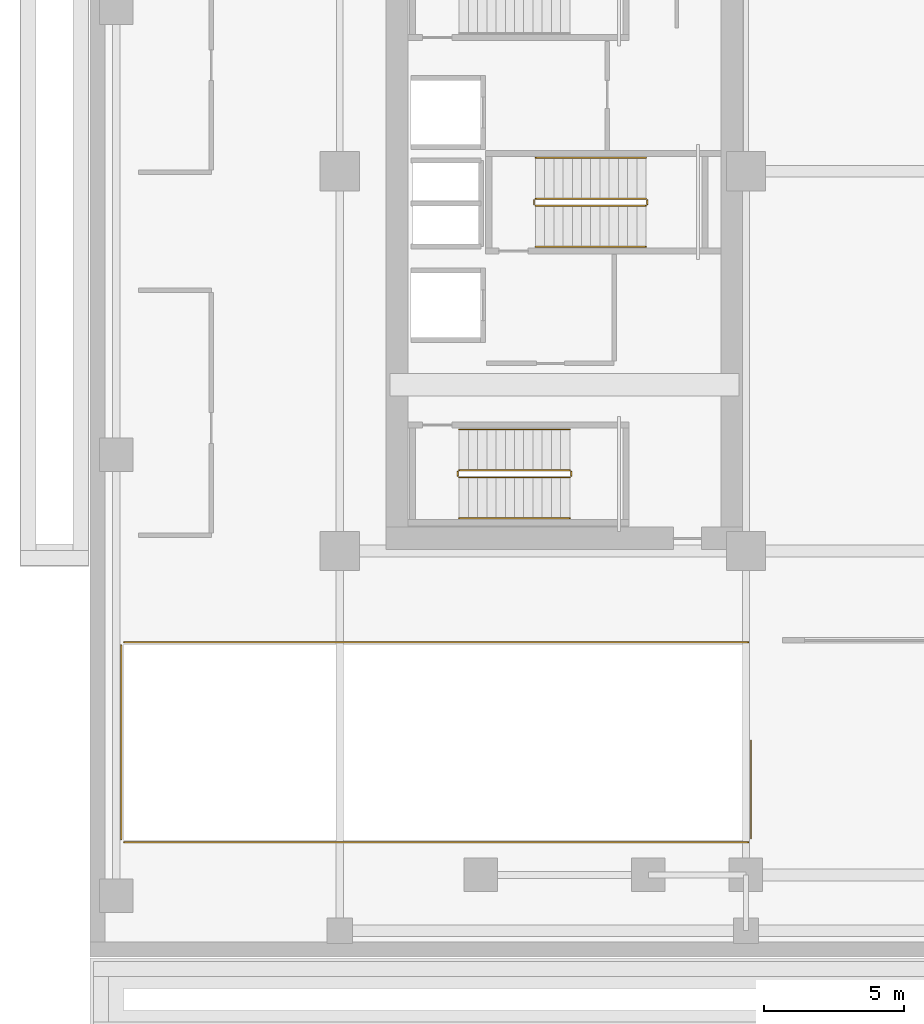
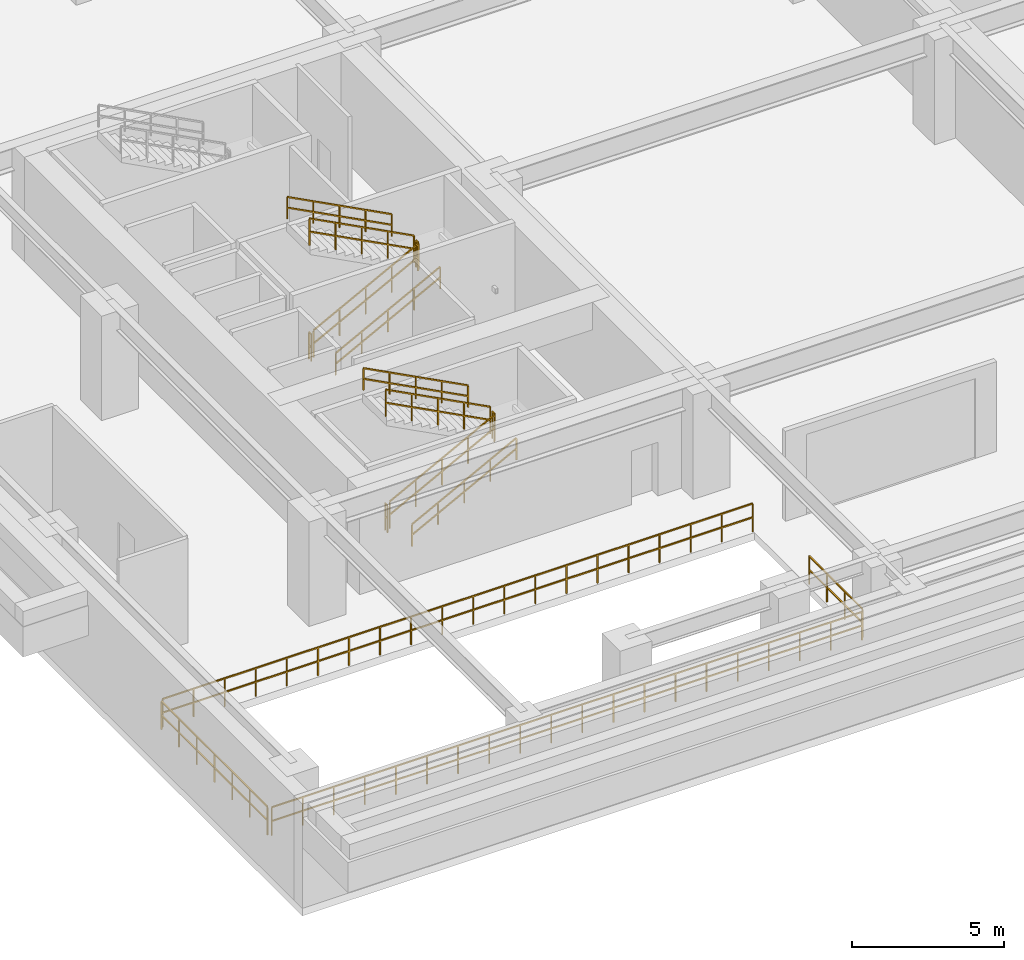
# One storey, part 6 of 9: 16 railings.
"""IFC4 building model written with IfcOpenShell, lengths in metres."""

from ifc_helpers import new_model, si_unit, direction, frame, origin, origin_2d, place, context, subcontext, project, spatial, rectangle, extrude, material, type_object, element, save


model = new_model("IFC4")

# Units and contexts
model_context = context("Model", 3, precision=1e-05, world=origin(), true_north=direction((0.0, 1.0)))
body_context = subcontext(model_context, "Body", "Model", "MODEL_VIEW")
ifc_project = project(units=[si_unit("LENGTHUNIT", "METRE"), si_unit("AREAUNIT", "SQUARE_METRE"), si_unit("VOLUMEUNIT", "CUBIC_METRE"), si_unit("PLANEANGLEUNIT", "RADIAN"), si_unit("MASSUNIT", "GRAM", prefix="KILO")], contexts=[model_context])

# Site, building, storey
site_placement = place(None, origin())
site = spatial("IfcSite", under=ifc_project, at=site_placement, CompositionType="ELEMENT")
building_placement = place(site_placement, origin())
building = spatial("IfcBuilding", under=site, at=building_placement, Name="Ocotamira Hotel", CompositionType="ELEMENT")
storey_placement = place(building_placement, frame((0.0, 0.0, -4.5)))
storey = spatial("IfcBuildingStorey", under=building, at=storey_placement, Name="B01", CompositionType="ELEMENT", Elevation=-4.5)

# Railings
ifc_material_1 = material(Name="Painted steel stair guardrail", Category="steel")
railing_type_1 = type_object("IfcRailingType", Name="RL-EDGE-1150", PredefinedType="GUARDRAIL", material=ifc_material_1)
railing_1_placement = place(storey_placement, frame((23.679931640625, 7.75, 0.0)))
element("IfcRailing", 1, at=railing_1_placement, inside=storey, type_object=railing_type_1, Name="B01 Vehicle Ramp Well Guardrail E1", PredefinedType="GUARDRAIL", context=body_context, shape_type="SweptSolid", body=[
    extrude(rectangle(XDim=0.048095703125, YDim=0.048095703125, at=origin_2d()), frame((0.0, 0.0, 1.1259765625), z_axis=(0.0, -1.0, 0.0), x_axis=(1.0, 0.0, 0.0)), (0.0, 0.0, 1.0), 3.5),
    extrude(rectangle(XDim=0.048095703125, YDim=0.048095703125, at=origin_2d()), frame((0.0, 0.0, 0.574951171875), z_axis=(0.0, -1.0, 0.0), x_axis=(1.0, 0.0, 0.0)), (0.0, 0.0, 1.0), 3.5),
    extrude(rectangle(XDim=0.0419921875, YDim=0.0419921875, at=origin_2d()), origin(), (0.0, 0.0, 1.0), 1.101806640625),
    extrude(rectangle(XDim=0.0419921875, YDim=0.0419921875, at=origin_2d()), frame((0.0, -1.166748046875, 0.0)), (0.0, 0.0, 1.0), 1.101806640625),
    extrude(rectangle(XDim=0.0419921875, YDim=0.0419921875, at=origin_2d()), frame((0.0, -2.333251953125, 0.0)), (0.0, 0.0, 1.0), 1.101806640625),
    extrude(rectangle(XDim=0.0419921875, YDim=0.0419921875, at=origin_2d()), frame((0.0, -3.5, 0.0)), (0.0, 0.0, 1.0), 1.101806640625),
])
railing_2_placement = place(storey_placement, frame((23.580078125, 4.1201171875, 0.0)))
element("IfcRailing", 2, at=railing_2_placement, inside=storey, type_object=railing_type_1, Name="B01 Vehicle Ramp Well Guardrail S", PredefinedType="GUARDRAIL", context=body_context, shape_type="SweptSolid", body=[
    extrude(rectangle(XDim=0.048095703125, YDim=0.048095703125, at=origin_2d()), frame((0.0, 0.0, 1.1259765625), z_axis=(-1.0, 0.0, 0.0), x_axis=(0.0, -1.0, 0.0)), (0.0, 0.0, 1.0), 22.360107421875),
    extrude(rectangle(XDim=0.048095703125, YDim=0.048095703125, at=origin_2d()), frame((0.0, 0.0, 0.574951171875), z_axis=(-1.0, 0.0, 0.0), x_axis=(0.0, -1.0, 0.0)), (0.0, 0.0, 1.0), 22.360107421875),
    extrude(rectangle(XDim=0.0419921875, YDim=0.0419921875, at=origin_2d()), origin(), (0.0, 0.0, 1.0), 1.101806640625),
    extrude(rectangle(XDim=0.0419921875, YDim=0.0419921875, at=origin_2d()), frame((-1.1767578125, 0.0, 0.0)), (0.0, 0.0, 1.0), 1.101806640625),
    extrude(rectangle(XDim=0.0419921875, YDim=0.0419921875, at=origin_2d()), frame((-2.353759765625, 0.0, 0.0)), (0.0, 0.0, 1.0), 1.101806640625),
    extrude(rectangle(XDim=0.0419921875, YDim=0.0419921875, at=origin_2d()), frame((-3.530517578125, 0.0, 0.0)), (0.0, 0.0, 1.0), 1.101806640625),
    extrude(rectangle(XDim=0.0419921875, YDim=0.0419921875, at=origin_2d()), frame((-4.707275390625, 0.0, 0.0)), (0.0, 0.0, 1.0), 1.101806640625),
    extrude(rectangle(XDim=0.0419921875, YDim=0.0419921875, at=origin_2d()), frame((-5.88427734375, 0.0, 0.0)), (0.0, 0.0, 1.0), 1.101806640625),
    extrude(rectangle(XDim=0.0419921875, YDim=0.0419921875, at=origin_2d()), frame((-7.06103515625, 0.0, 0.0)), (0.0, 0.0, 1.0), 1.101806640625),
    extrude(rectangle(XDim=0.0419921875, YDim=0.0419921875, at=origin_2d()), frame((-8.238037109375, 0.0, 0.0)), (0.0, 0.0, 1.0), 1.101806640625),
    extrude(rectangle(XDim=0.0419921875, YDim=0.0419921875, at=origin_2d()), frame((-9.414794921875, 0.0, 0.0)), (0.0, 0.0, 1.0), 1.101806640625),
    extrude(rectangle(XDim=0.0419921875, YDim=0.0419921875, at=origin_2d()), frame((-10.591552734375, 0.0, 0.0)), (0.0, 0.0, 1.0), 1.101806640625),
    extrude(rectangle(XDim=0.0419921875, YDim=0.0419921875, at=origin_2d()), frame((-11.7685546875, 0.0, 0.0)), (0.0, 0.0, 1.0), 1.101806640625),
    extrude(rectangle(XDim=0.0419921875, YDim=0.0419921875, at=origin_2d()), frame((-12.9453125, 0.0, 0.0)), (0.0, 0.0, 1.0), 1.101806640625),
    extrude(rectangle(XDim=0.0419921875, YDim=0.0419921875, at=origin_2d()), frame((-14.1220703125, 0.0, 0.0)), (0.0, 0.0, 1.0), 1.101806640625),
    extrude(rectangle(XDim=0.0419921875, YDim=0.0419921875, at=origin_2d()), frame((-15.299072265625, 0.0, 0.0)), (0.0, 0.0, 1.0), 1.101806640625),
    extrude(rectangle(XDim=0.0419921875, YDim=0.0419921875, at=origin_2d()), frame((-16.475830078125, 0.0, 0.0)), (0.0, 0.0, 1.0), 1.101806640625),
    extrude(rectangle(XDim=0.0419921875, YDim=0.0419921875, at=origin_2d()), frame((-17.65283203125, 0.0, 0.0)), (0.0, 0.0, 1.0), 1.101806640625),
    extrude(rectangle(XDim=0.0419921875, YDim=0.0419921875, at=origin_2d()), frame((-18.82958984375, 0.0, 0.0)), (0.0, 0.0, 1.0), 1.101806640625),
    extrude(rectangle(XDim=0.0419921875, YDim=0.0419921875, at=origin_2d()), frame((-20.00634765625, 0.0, 0.0)), (0.0, 0.0, 1.0), 1.101806640625),
    extrude(rectangle(XDim=0.0419921875, YDim=0.0419921875, at=origin_2d()), frame((-21.183349609375, 0.0, 0.0)), (0.0, 0.0, 1.0), 1.101806640625),
    extrude(rectangle(XDim=0.0419921875, YDim=0.0419921875, at=origin_2d()), frame((-22.360107421875, 0.0, 0.0)), (0.0, 0.0, 1.0), 1.101806640625),
])
railing_3_placement = place(storey_placement, frame((1.1201171875, 4.219970703125, 0.0)))
element("IfcRailing", 3, at=railing_3_placement, inside=storey, type_object=railing_type_1, Name="B01 Vehicle Ramp Well Guardrail W", PredefinedType="GUARDRAIL", context=body_context, shape_type="SweptSolid", body=[
    extrude(rectangle(XDim=0.048095703125, YDim=0.048095703125, at=origin_2d()), frame((0.0, 0.0, 1.1259765625), z_axis=(0.0, 1.0, 0.0), x_axis=(-1.0, 0.0, 0.0)), (0.0, 0.0, 1.0), 6.9599609375),
    extrude(rectangle(XDim=0.048095703125, YDim=0.048095703125, at=origin_2d()), frame((0.0, 0.0, 0.574951171875), z_axis=(0.0, 1.0, 0.0), x_axis=(-1.0, 0.0, 0.0)), (0.0, 0.0, 1.0), 6.9599609375),
    extrude(rectangle(XDim=0.0419921875, YDim=0.0419921875, at=origin_2d()), origin(), (0.0, 0.0, 1.0), 1.101806640625),
    extrude(rectangle(XDim=0.0419921875, YDim=0.0419921875, at=origin_2d()), frame((0.0, 1.159912109375, 0.0)), (0.0, 0.0, 1.0), 1.101806640625),
    extrude(rectangle(XDim=0.0419921875, YDim=0.0419921875, at=origin_2d()), frame((0.0, 2.320068359375, 0.0)), (0.0, 0.0, 1.0), 1.101806640625),
    extrude(rectangle(XDim=0.0419921875, YDim=0.0419921875, at=origin_2d()), frame((0.0, 3.47998046875, 0.0)), (0.0, 0.0, 1.0), 1.101806640625),
    extrude(rectangle(XDim=0.0419921875, YDim=0.0419921875, at=origin_2d()), frame((0.0, 4.639892578125, 0.0)), (0.0, 0.0, 1.0), 1.101806640625),
    extrude(rectangle(XDim=0.0419921875, YDim=0.0419921875, at=origin_2d()), frame((0.0, 5.800048828125, 0.0)), (0.0, 0.0, 1.0), 1.101806640625),
    extrude(rectangle(XDim=0.0419921875, YDim=0.0419921875, at=origin_2d()), frame((0.0, 6.9599609375, 0.0)), (0.0, 0.0, 1.0), 1.101806640625),
])
railing_4_placement = place(storey_placement, frame((1.219970703125, 11.280029296875, 0.0)))
element("IfcRailing", 4, at=railing_4_placement, inside=storey, type_object=railing_type_1, Name="B01 Vehicle Ramp Well Guardrail N", PredefinedType="GUARDRAIL", context=body_context, shape_type="SweptSolid", body=[
    extrude(rectangle(XDim=0.048095703125, YDim=0.048095703125, at=origin_2d()), frame((0.0, 0.0, 1.1259765625), z_axis=(1.0, 0.0, 0.0), x_axis=(0.0, 1.0, 0.0)), (0.0, 0.0, 1.0), 22.360107421875),
    extrude(rectangle(XDim=0.048095703125, YDim=0.048095703125, at=origin_2d()), frame((0.0, 0.0, 0.574951171875), z_axis=(1.0, 0.0, 0.0), x_axis=(0.0, 1.0, 0.0)), (0.0, 0.0, 1.0), 22.360107421875),
    extrude(rectangle(XDim=0.0419921875, YDim=0.0419921875, at=origin_2d()), origin(), (0.0, 0.0, 1.0), 1.101806640625),
    extrude(rectangle(XDim=0.0419921875, YDim=0.0419921875, at=origin_2d()), frame((1.1767578125, 0.0, 0.0)), (0.0, 0.0, 1.0), 1.101806640625),
    extrude(rectangle(XDim=0.0419921875, YDim=0.0419921875, at=origin_2d()), frame((2.353759765625, 0.0, 0.0)), (0.0, 0.0, 1.0), 1.101806640625),
    extrude(rectangle(XDim=0.0419921875, YDim=0.0419921875, at=origin_2d()), frame((3.530517578125, 0.0, 0.0)), (0.0, 0.0, 1.0), 1.101806640625),
    extrude(rectangle(XDim=0.0419921875, YDim=0.0419921875, at=origin_2d()), frame((4.707275390625, 0.0, 0.0)), (0.0, 0.0, 1.0), 1.101806640625),
    extrude(rectangle(XDim=0.0419921875, YDim=0.0419921875, at=origin_2d()), frame((5.88427734375, 0.0, 0.0)), (0.0, 0.0, 1.0), 1.101806640625),
    extrude(rectangle(XDim=0.0419921875, YDim=0.0419921875, at=origin_2d()), frame((7.06103515625, 0.0, 0.0)), (0.0, 0.0, 1.0), 1.101806640625),
    extrude(rectangle(XDim=0.0419921875, YDim=0.0419921875, at=origin_2d()), frame((8.238037109375, 0.0, 0.0)), (0.0, 0.0, 1.0), 1.101806640625),
    extrude(rectangle(XDim=0.0419921875, YDim=0.0419921875, at=origin_2d()), frame((9.414794921875, 0.0, 0.0)), (0.0, 0.0, 1.0), 1.101806640625),
    extrude(rectangle(XDim=0.0419921875, YDim=0.0419921875, at=origin_2d()), frame((10.591552734375, 0.0, 0.0)), (0.0, 0.0, 1.0), 1.101806640625),
    extrude(rectangle(XDim=0.0419921875, YDim=0.0419921875, at=origin_2d()), frame((11.7685546875, 0.0, 0.0)), (0.0, 0.0, 1.0), 1.101806640625),
    extrude(rectangle(XDim=0.0419921875, YDim=0.0419921875, at=origin_2d()), frame((12.9453125, 0.0, 0.0)), (0.0, 0.0, 1.0), 1.101806640625),
    extrude(rectangle(XDim=0.0419921875, YDim=0.0419921875, at=origin_2d()), frame((14.1220703125, 0.0, 0.0)), (0.0, 0.0, 1.0), 1.101806640625),
    extrude(rectangle(XDim=0.0419921875, YDim=0.0419921875, at=origin_2d()), frame((15.299072265625, 0.0, 0.0)), (0.0, 0.0, 1.0), 1.101806640625),
    extrude(rectangle(XDim=0.0419921875, YDim=0.0419921875, at=origin_2d()), frame((16.475830078125, 0.0, 0.0)), (0.0, 0.0, 1.0), 1.101806640625),
    extrude(rectangle(XDim=0.0419921875, YDim=0.0419921875, at=origin_2d()), frame((17.65283203125, 0.0, 0.0)), (0.0, 0.0, 1.0), 1.101806640625),
    extrude(rectangle(XDim=0.0419921875, YDim=0.0419921875, at=origin_2d()), frame((18.82958984375, 0.0, 0.0)), (0.0, 0.0, 1.0), 1.101806640625),
    extrude(rectangle(XDim=0.0419921875, YDim=0.0419921875, at=origin_2d()), frame((20.00634765625, 0.0, 0.0)), (0.0, 0.0, 1.0), 1.101806640625),
    extrude(rectangle(XDim=0.0419921875, YDim=0.0419921875, at=origin_2d()), frame((21.183349609375, 0.0, 0.0)), (0.0, 0.0, 1.0), 1.101806640625),
    extrude(rectangle(XDim=0.0419921875, YDim=0.0419921875, at=origin_2d()), frame((22.360107421875, 0.0, 0.0)), (0.0, 0.0, 1.0), 1.101806640625),
])
ifc_material_2 = material(Name="Brushed stainless steel handrail", Category="steel")
railing_type_2 = type_object("IfcRailingType", Name="RL-HAND-900", PredefinedType="HANDRAIL", material=ifc_material_2)
railing_5_placement = place(storey_placement, frame((13.22998046875, 15.719970703125, 0.34619140625)))
element("IfcRailing", 5, at=railing_5_placement, inside=storey, type_object=railing_type_2, Name="B01 ST-1 stair handrail 1", PredefinedType="HANDRAIL", context=body_context, shape_type="SweptSolid", body=[
    extrude(rectangle(XDim=0.048095703125, YDim=0.048095703125, at=origin_2d()), frame((0.0, 0.0, 0.8759765625), z_axis=(0.885588829464, 0.0, 0.464470047611), x_axis=(0.0, 1.0, 0.0)), (0.0, 0.0, 1.0), 4.471435546875),
    extrude(rectangle(XDim=0.048095703125, YDim=0.048095703125, at=origin_2d()), frame((0.0, 0.0, 0.449951171875), z_axis=(0.885588829464, 0.0, 0.464470047611), x_axis=(0.0, 1.0, 0.0)), (0.0, 0.0, 1.0), 4.471435546875),
    extrude(rectangle(XDim=0.0419921875, YDim=0.0419921875, at=origin_2d()), origin(), (0.0, 0.0, 1.0), 0.851806640625),
    extrude(rectangle(XDim=0.0419921875, YDim=0.0419921875, at=origin_2d()), frame((0.989990234375, 0.0, 0.519287109375)), (0.0, 0.0, 1.0), 0.851806640625),
    extrude(rectangle(XDim=0.0419921875, YDim=0.0419921875, at=origin_2d()), frame((1.97998046875, 0.0, 1.03857421875)), (0.0, 0.0, 1.0), 0.851806640625),
    extrude(rectangle(XDim=0.0419921875, YDim=0.0419921875, at=origin_2d()), frame((2.969970703125, 0.0, 1.5576171875)), (0.0, 0.0, 1.0), 0.851806640625),
    extrude(rectangle(XDim=0.0419921875, YDim=0.0419921875, at=origin_2d()), frame((3.9599609375, 0.0, 2.076904296875)), (0.0, 0.0, 1.0), 0.851806640625),
])
railing_6_placement = place(storey_placement, frame((17.18994140625, 18.89990234375, 2.59619140625)))
element("IfcRailing", 6, at=railing_6_placement, inside=storey, type_object=railing_type_2, Name="B01 ST-1 stair handrail 2", PredefinedType="HANDRAIL", context=body_context, shape_type="SweptSolid", body=[
    extrude(rectangle(XDim=0.048095703125, YDim=0.048095703125, at=origin_2d()), frame((0.0, 0.0, 0.8759765625), z_axis=(-0.885588829464, 0.0, 0.464470047611), x_axis=(0.0, -1.0, 0.0)), (0.0, 0.0, 1.0), 4.471435546875),
    extrude(rectangle(XDim=0.048095703125, YDim=0.048095703125, at=origin_2d()), frame((0.0, 0.0, 0.449951171875), z_axis=(-0.885588829464, 0.0, 0.464470047611), x_axis=(0.0, -1.0, 0.0)), (0.0, 0.0, 1.0), 4.471435546875),
    extrude(rectangle(XDim=0.0419921875, YDim=0.0419921875, at=origin_2d()), origin(), (0.0, 0.0, 1.0), 0.851806640625),
    extrude(rectangle(XDim=0.0419921875, YDim=0.0419921875, at=origin_2d()), frame((-0.989990234375, 0.0, 0.519287109375)), (0.0, 0.0, 1.0), 0.851806640625),
    extrude(rectangle(XDim=0.0419921875, YDim=0.0419921875, at=origin_2d()), frame((-1.97998046875, 0.0, 1.03857421875)), (0.0, 0.0, 1.0), 0.851806640625),
    extrude(rectangle(XDim=0.0419921875, YDim=0.0419921875, at=origin_2d()), frame((-2.969970703125, 0.0, 1.5576171875)), (0.0, 0.0, 1.0), 0.851806640625),
    extrude(rectangle(XDim=0.0419921875, YDim=0.0419921875, at=origin_2d()), frame((-3.9599609375, 0.0, 2.076904296875)), (0.0, 0.0, 1.0), 0.851806640625),
])
railing_7_placement = place(storey_placement, frame((15.9599609375, 25.449951171875, 0.34619140625)))
element("IfcRailing", 7, at=railing_7_placement, inside=storey, type_object=railing_type_2, Name="B01 ST-3 stair handrail 1", PredefinedType="HANDRAIL", context=body_context, shape_type="SweptSolid", body=[
    extrude(rectangle(XDim=0.048095703125, YDim=0.048095703125, at=origin_2d()), frame((0.0, 0.0, 0.8759765625), z_axis=(0.885588829464, 0.0, 0.464470047611), x_axis=(0.0, 1.0, 0.0)), (0.0, 0.0, 1.0), 4.471435546875),
    extrude(rectangle(XDim=0.048095703125, YDim=0.048095703125, at=origin_2d()), frame((0.0, 0.0, 0.449951171875), z_axis=(0.885588829464, 0.0, 0.464470047611), x_axis=(0.0, 1.0, 0.0)), (0.0, 0.0, 1.0), 4.471435546875),
    extrude(rectangle(XDim=0.0419921875, YDim=0.0419921875, at=origin_2d()), origin(), (0.0, 0.0, 1.0), 0.851806640625),
    extrude(rectangle(XDim=0.0419921875, YDim=0.0419921875, at=origin_2d()), frame((0.989990234375, 0.0, 0.519287109375)), (0.0, 0.0, 1.0), 0.851806640625),
    extrude(rectangle(XDim=0.0419921875, YDim=0.0419921875, at=origin_2d()), frame((1.97998046875, 0.0, 1.03857421875)), (0.0, 0.0, 1.0), 0.851806640625),
    extrude(rectangle(XDim=0.0419921875, YDim=0.0419921875, at=origin_2d()), frame((2.969970703125, 0.0, 1.5576171875)), (0.0, 0.0, 1.0), 0.851806640625),
    extrude(rectangle(XDim=0.0419921875, YDim=0.0419921875, at=origin_2d()), frame((3.9599609375, 0.0, 2.076904296875)), (0.0, 0.0, 1.0), 0.851806640625),
])
railing_8_placement = place(storey_placement, frame((19.919921875, 28.6298828125, 2.59619140625)))
element("IfcRailing", 8, at=railing_8_placement, inside=storey, type_object=railing_type_2, Name="B01 ST-3 stair handrail 2", PredefinedType="HANDRAIL", context=body_context, shape_type="SweptSolid", body=[
    extrude(rectangle(XDim=0.048095703125, YDim=0.048095703125, at=origin_2d()), frame((0.0, 0.0, 0.8759765625), z_axis=(-0.885588829464, 0.0, 0.464470047611), x_axis=(0.0, -1.0, 0.0)), (0.0, 0.0, 1.0), 4.471435546875),
    extrude(rectangle(XDim=0.048095703125, YDim=0.048095703125, at=origin_2d()), frame((0.0, 0.0, 0.449951171875), z_axis=(-0.885588829464, 0.0, 0.464470047611), x_axis=(0.0, -1.0, 0.0)), (0.0, 0.0, 1.0), 4.471435546875),
    extrude(rectangle(XDim=0.0419921875, YDim=0.0419921875, at=origin_2d()), origin(), (0.0, 0.0, 1.0), 0.851806640625),
    extrude(rectangle(XDim=0.0419921875, YDim=0.0419921875, at=origin_2d()), frame((-0.989990234375, 0.0, 0.519287109375)), (0.0, 0.0, 1.0), 0.851806640625),
    extrude(rectangle(XDim=0.0419921875, YDim=0.0419921875, at=origin_2d()), frame((-1.97998046875, 0.0, 1.03857421875)), (0.0, 0.0, 1.0), 0.851806640625),
    extrude(rectangle(XDim=0.0419921875, YDim=0.0419921875, at=origin_2d()), frame((-2.969970703125, 0.0, 1.5576171875)), (0.0, 0.0, 1.0), 0.851806640625),
    extrude(rectangle(XDim=0.0419921875, YDim=0.0419921875, at=origin_2d()), frame((-3.9599609375, 0.0, 2.076904296875)), (0.0, 0.0, 1.0), 0.851806640625),
])
railing_type_3 = type_object("IfcRailingType", Name="RL-STAIR-1100", PredefinedType="GUARDRAIL", material=ifc_material_1)
railing_9_placement = place(storey_placement, frame((13.22998046875, 17.179931640625, 0.173095703125)))
element("IfcRailing", 9, at=railing_9_placement, inside=storey, type_object=railing_type_3, Name="B01 ST-1 stair guard 1", PredefinedType="GUARDRAIL", context=body_context, shape_type="SweptSolid", body=[
    extrude(rectangle(XDim=0.048095703125, YDim=0.048095703125, at=origin_2d()), frame((0.0, 0.0, 1.076171875), z_axis=(0.885588829464, 0.0, 0.464470047611), x_axis=(0.0, 1.0, 0.0)), (0.0, 0.0, 1.0), 4.471435546875),
    extrude(rectangle(XDim=0.048095703125, YDim=0.048095703125, at=origin_2d()), frame((0.0, 0.0, 0.550048828125), z_axis=(0.885588829464, 0.0, 0.464470047611), x_axis=(0.0, 1.0, 0.0)), (0.0, 0.0, 1.0), 4.471435546875),
    extrude(rectangle(XDim=0.0419921875, YDim=0.0419921875, at=origin_2d()), origin(), (0.0, 0.0, 1.0), 1.052001953125),
    extrude(rectangle(XDim=0.0419921875, YDim=0.0419921875, at=origin_2d()), frame((0.989990234375, 0.0, 0.519287109375)), (0.0, 0.0, 1.0), 1.052001953125),
    extrude(rectangle(XDim=0.0419921875, YDim=0.0419921875, at=origin_2d()), frame((1.97998046875, 0.0, 1.03857421875)), (0.0, 0.0, 1.0), 1.052001953125),
    extrude(rectangle(XDim=0.0419921875, YDim=0.0419921875, at=origin_2d()), frame((2.969970703125, 0.0, 1.5576171875)), (0.0, 0.0, 1.0), 1.052001953125),
    extrude(rectangle(XDim=0.0419921875, YDim=0.0419921875, at=origin_2d()), frame((3.9599609375, 0.0, 2.076904296875)), (0.0, 0.0, 1.0), 1.052001953125),
])
railing_10_placement = place(storey_placement, frame((17.239990234375, 17.22998046875, 2.25)))
element("IfcRailing", 10, at=railing_10_placement, inside=storey, type_object=railing_type_3, Name="B01 ST-1 stair guard 2", PredefinedType="GUARDRAIL", context=body_context, shape_type="SweptSolid", body=[
    extrude(rectangle(XDim=0.048095703125, YDim=0.048095703125, at=origin_2d()), frame((0.0, 0.0, 1.076171875), z_axis=(0.0, 1.0, 0.0), x_axis=(-1.0, 0.0, 0.0)), (0.0, 0.0, 1.0), 0.159912109375),
    extrude(rectangle(XDim=0.048095703125, YDim=0.048095703125, at=origin_2d()), frame((0.0, 0.0, 0.550048828125), z_axis=(0.0, 1.0, 0.0), x_axis=(-1.0, 0.0, 0.0)), (0.0, 0.0, 1.0), 0.159912109375),
    extrude(rectangle(XDim=0.0419921875, YDim=0.0419921875, at=origin_2d()), origin(), (0.0, 0.0, 1.0), 1.052001953125),
    extrude(rectangle(XDim=0.0419921875, YDim=0.0419921875, at=origin_2d()), frame((0.0, 0.159912109375, 0.0)), (0.0, 0.0, 1.0), 1.052001953125),
])
railing_11_placement = place(storey_placement, frame((17.18994140625, 17.43994140625, 2.423095703125)))
element("IfcRailing", 11, at=railing_11_placement, inside=storey, type_object=railing_type_3, Name="B01 ST-1 stair guard 3", PredefinedType="GUARDRAIL", context=body_context, shape_type="SweptSolid", body=[
    extrude(rectangle(XDim=0.048095703125, YDim=0.048095703125, at=origin_2d()), frame((0.0, 0.0, 1.076171875), z_axis=(-0.885588829464, 0.0, 0.464470047611), x_axis=(0.0, -1.0, 0.0)), (0.0, 0.0, 1.0), 4.471435546875),
    extrude(rectangle(XDim=0.048095703125, YDim=0.048095703125, at=origin_2d()), frame((0.0, 0.0, 0.550048828125), z_axis=(-0.885588829464, 0.0, 0.464470047611), x_axis=(0.0, -1.0, 0.0)), (0.0, 0.0, 1.0), 4.471435546875),
    extrude(rectangle(XDim=0.0419921875, YDim=0.0419921875, at=origin_2d()), origin(), (0.0, 0.0, 1.0), 1.052001953125),
    extrude(rectangle(XDim=0.0419921875, YDim=0.0419921875, at=origin_2d()), frame((-0.989990234375, 0.0, 0.519287109375)), (0.0, 0.0, 1.0), 1.052001953125),
    extrude(rectangle(XDim=0.0419921875, YDim=0.0419921875, at=origin_2d()), frame((-1.97998046875, 0.0, 1.03857421875)), (0.0, 0.0, 1.0), 1.052001953125),
    extrude(rectangle(XDim=0.0419921875, YDim=0.0419921875, at=origin_2d()), frame((-2.969970703125, 0.0, 1.5576171875)), (0.0, 0.0, 1.0), 1.052001953125),
    extrude(rectangle(XDim=0.0419921875, YDim=0.0419921875, at=origin_2d()), frame((-3.9599609375, 0.0, 2.076904296875)), (0.0, 0.0, 1.0), 1.052001953125),
])
railing_12_placement = place(storey_placement, frame((13.179931640625, 17.22998046875, 0.0)))
element("IfcRailing", 12, at=railing_12_placement, inside=storey, type_object=railing_type_3, Name="B01 ST-1 stair guard 4", PredefinedType="GUARDRAIL", context=body_context, shape_type="SweptSolid", body=[
    extrude(rectangle(XDim=0.048095703125, YDim=0.048095703125, at=origin_2d()), frame((0.0, 0.0, 1.076171875), z_axis=(0.0, 1.0, 0.0), x_axis=(-1.0, 0.0, 0.0)), (0.0, 0.0, 1.0), 0.159912109375),
    extrude(rectangle(XDim=0.048095703125, YDim=0.048095703125, at=origin_2d()), frame((0.0, 0.0, 0.550048828125), z_axis=(0.0, 1.0, 0.0), x_axis=(-1.0, 0.0, 0.0)), (0.0, 0.0, 1.0), 0.159912109375),
    extrude(rectangle(XDim=0.0419921875, YDim=0.0419921875, at=origin_2d()), origin(), (0.0, 0.0, 1.0), 1.052001953125),
    extrude(rectangle(XDim=0.0419921875, YDim=0.0419921875, at=origin_2d()), frame((0.0, 0.159912109375, 0.0)), (0.0, 0.0, 1.0), 1.052001953125),
])
railing_13_placement = place(storey_placement, frame((15.9599609375, 26.909912109375, 0.173095703125)))
element("IfcRailing", 13, at=railing_13_placement, inside=storey, type_object=railing_type_3, Name="B01 ST-3 stair guard 1", PredefinedType="GUARDRAIL", context=body_context, shape_type="SweptSolid", body=[
    extrude(rectangle(XDim=0.048095703125, YDim=0.048095703125, at=origin_2d()), frame((0.0, 0.0, 1.076171875), z_axis=(0.885588829464, 0.0, 0.464470047611), x_axis=(0.0, 1.0, 0.0)), (0.0, 0.0, 1.0), 4.471435546875),
    extrude(rectangle(XDim=0.048095703125, YDim=0.048095703125, at=origin_2d()), frame((0.0, 0.0, 0.550048828125), z_axis=(0.885588829464, 0.0, 0.464470047611), x_axis=(0.0, 1.0, 0.0)), (0.0, 0.0, 1.0), 4.471435546875),
    extrude(rectangle(XDim=0.0419921875, YDim=0.0419921875, at=origin_2d()), origin(), (0.0, 0.0, 1.0), 1.052001953125),
    extrude(rectangle(XDim=0.0419921875, YDim=0.0419921875, at=origin_2d()), frame((0.989990234375, 0.0, 0.519287109375)), (0.0, 0.0, 1.0), 1.052001953125),
    extrude(rectangle(XDim=0.0419921875, YDim=0.0419921875, at=origin_2d()), frame((1.97998046875, 0.0, 1.03857421875)), (0.0, 0.0, 1.0), 1.052001953125),
    extrude(rectangle(XDim=0.0419921875, YDim=0.0419921875, at=origin_2d()), frame((2.969970703125, 0.0, 1.5576171875)), (0.0, 0.0, 1.0), 1.052001953125),
    extrude(rectangle(XDim=0.0419921875, YDim=0.0419921875, at=origin_2d()), frame((3.9599609375, 0.0, 2.076904296875)), (0.0, 0.0, 1.0), 1.052001953125),
])
railing_14_placement = place(storey_placement, frame((19.969970703125, 26.9599609375, 2.25)))
element("IfcRailing", 14, at=railing_14_placement, inside=storey, type_object=railing_type_3, Name="B01 ST-3 stair guard 2", PredefinedType="GUARDRAIL", context=body_context, shape_type="SweptSolid", body=[
    extrude(rectangle(XDim=0.048095703125, YDim=0.048095703125, at=origin_2d()), frame((0.0, 0.0, 1.076171875), z_axis=(0.0, 1.0, 0.0), x_axis=(-1.0, 0.0, 0.0)), (0.0, 0.0, 1.0), 0.16015625),
    extrude(rectangle(XDim=0.048095703125, YDim=0.048095703125, at=origin_2d()), frame((0.0, 0.0, 0.550048828125), z_axis=(0.0, 1.0, 0.0), x_axis=(-1.0, 0.0, 0.0)), (0.0, 0.0, 1.0), 0.16015625),
    extrude(rectangle(XDim=0.0419921875, YDim=0.0419921875, at=origin_2d()), origin(), (0.0, 0.0, 1.0), 1.052001953125),
    extrude(rectangle(XDim=0.0419921875, YDim=0.0419921875, at=origin_2d()), frame((0.0, 0.16015625, 0.0)), (0.0, 0.0, 1.0), 1.052001953125),
])
railing_15_placement = place(storey_placement, frame((19.919921875, 27.169921875, 2.423095703125)))
element("IfcRailing", 15, at=railing_15_placement, inside=storey, type_object=railing_type_3, Name="B01 ST-3 stair guard 3", PredefinedType="GUARDRAIL", context=body_context, shape_type="SweptSolid", body=[
    extrude(rectangle(XDim=0.048095703125, YDim=0.048095703125, at=origin_2d()), frame((0.0, 0.0, 1.076171875), z_axis=(-0.885588829464, 0.0, 0.464470047611), x_axis=(0.0, -1.0, 0.0)), (0.0, 0.0, 1.0), 4.471435546875),
    extrude(rectangle(XDim=0.048095703125, YDim=0.048095703125, at=origin_2d()), frame((0.0, 0.0, 0.550048828125), z_axis=(-0.885588829464, 0.0, 0.464470047611), x_axis=(0.0, -1.0, 0.0)), (0.0, 0.0, 1.0), 4.471435546875),
    extrude(rectangle(XDim=0.0419921875, YDim=0.0419921875, at=origin_2d()), origin(), (0.0, 0.0, 1.0), 1.052001953125),
    extrude(rectangle(XDim=0.0419921875, YDim=0.0419921875, at=origin_2d()), frame((-0.989990234375, 0.0, 0.519287109375)), (0.0, 0.0, 1.0), 1.052001953125),
    extrude(rectangle(XDim=0.0419921875, YDim=0.0419921875, at=origin_2d()), frame((-1.97998046875, 0.0, 1.03857421875)), (0.0, 0.0, 1.0), 1.052001953125),
    extrude(rectangle(XDim=0.0419921875, YDim=0.0419921875, at=origin_2d()), frame((-2.969970703125, 0.0, 1.5576171875)), (0.0, 0.0, 1.0), 1.052001953125),
    extrude(rectangle(XDim=0.0419921875, YDim=0.0419921875, at=origin_2d()), frame((-3.9599609375, 0.0, 2.076904296875)), (0.0, 0.0, 1.0), 1.052001953125),
])
railing_16_placement = place(storey_placement, frame((15.909912109375, 26.9599609375, 0.0)))
element("IfcRailing", 16, at=railing_16_placement, inside=storey, type_object=railing_type_3, Name="B01 ST-3 stair guard 4", PredefinedType="GUARDRAIL", context=body_context, shape_type="SweptSolid", body=[
    extrude(rectangle(XDim=0.048095703125, YDim=0.048095703125, at=origin_2d()), frame((0.0, 0.0, 1.076171875), z_axis=(0.0, 1.0, 0.0), x_axis=(-1.0, 0.0, 0.0)), (0.0, 0.0, 1.0), 0.16015625),
    extrude(rectangle(XDim=0.048095703125, YDim=0.048095703125, at=origin_2d()), frame((0.0, 0.0, 0.550048828125), z_axis=(0.0, 1.0, 0.0), x_axis=(-1.0, 0.0, 0.0)), (0.0, 0.0, 1.0), 0.16015625),
    extrude(rectangle(XDim=0.0419921875, YDim=0.0419921875, at=origin_2d()), origin(), (0.0, 0.0, 1.0), 1.052001953125),
    extrude(rectangle(XDim=0.0419921875, YDim=0.0419921875, at=origin_2d()), frame((0.0, 0.16015625, 0.0)), (0.0, 0.0, 1.0), 1.052001953125),
])

save(model, "model.ifc")
